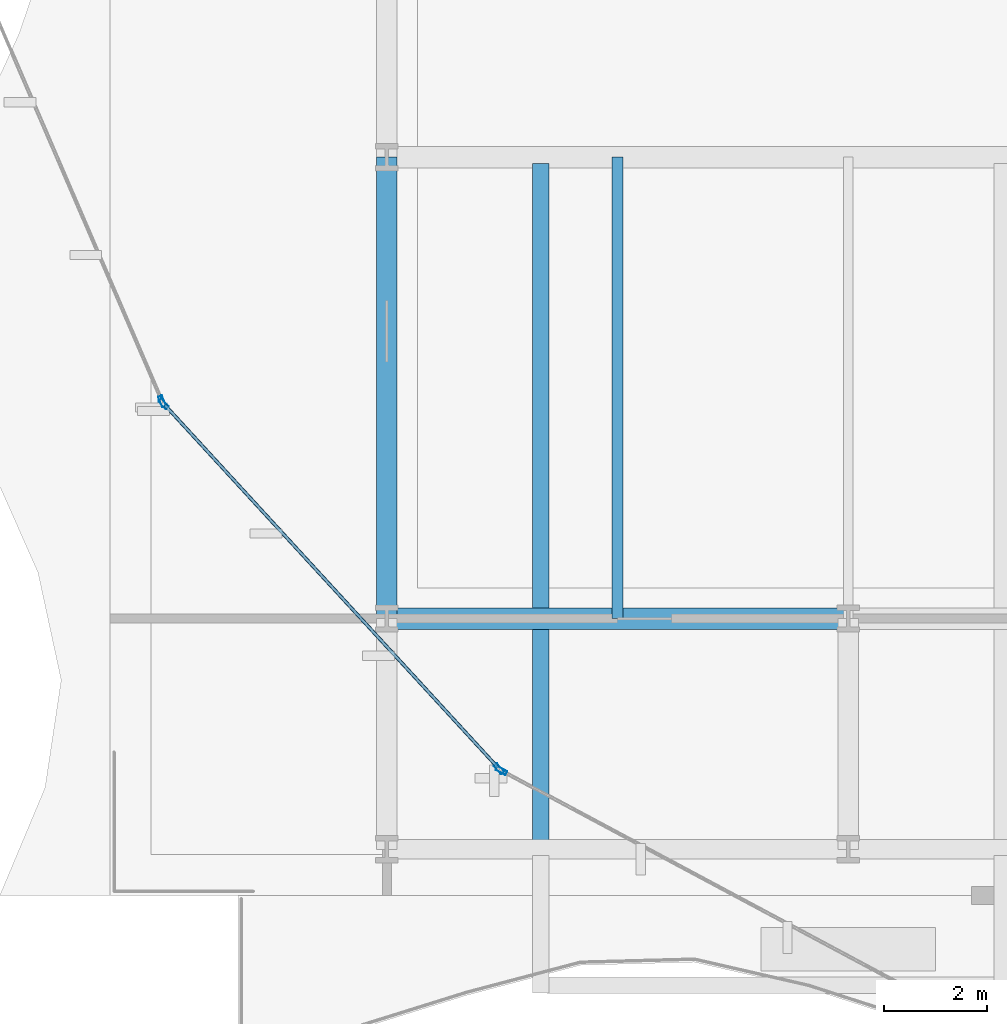
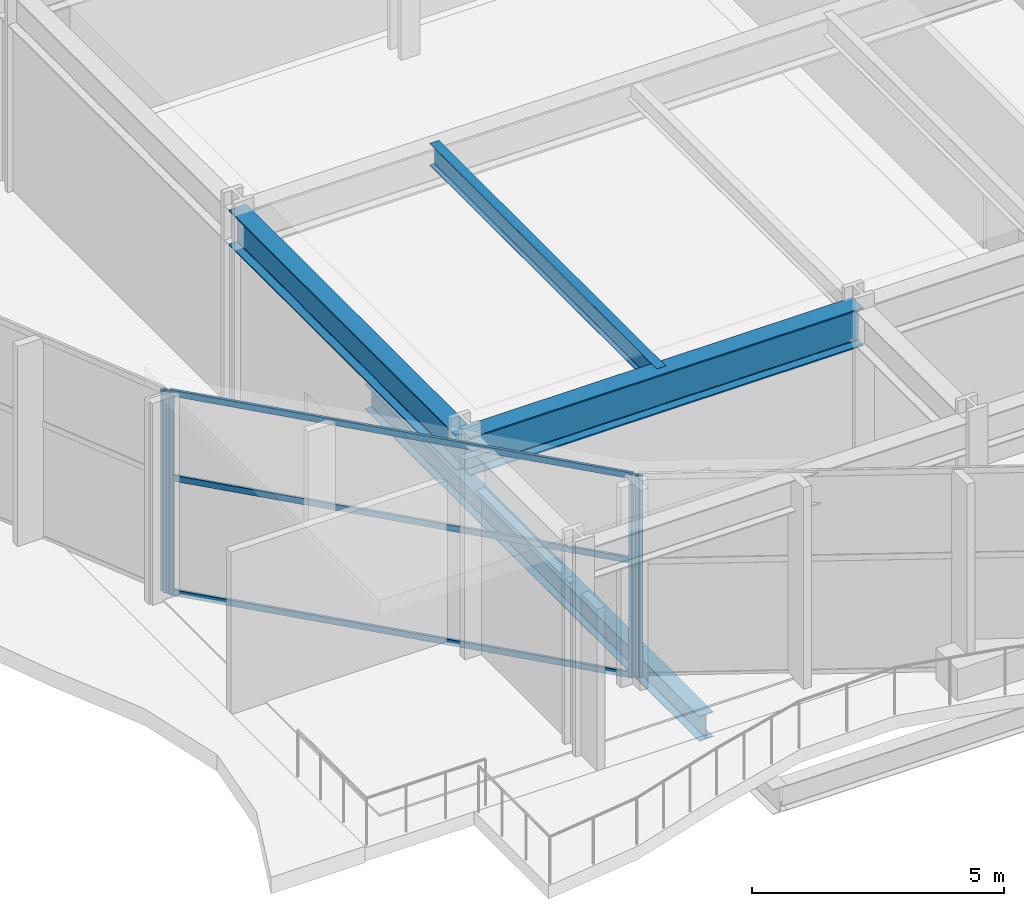
# One storey, part 2 of 31: 7 members, 4 beams, 3 elements without a shape of their own.
"""IFC4 building model written with IfcOpenShell, lengths in metres."""

from ifc_helpers import new_model, si_unit, direction, frame, origin, origin_2d, place, context, subcontext, project, spatial, hollow_rectangle, i_section, extrude, material, layer, layer_set, material_profile, profile_set, type_object, element, aggregate, save


model = new_model("IFC4")

# Units and contexts
model_context = context("Model", 3, precision=1e-05, world=origin(), true_north=direction((0.0, 1.0)))
body_context = subcontext(model_context, "Body", "Model", "MODEL_VIEW")
ifc_project = project(units=[si_unit("LENGTHUNIT", "METRE"), si_unit("AREAUNIT", "SQUARE_METRE"), si_unit("VOLUMEUNIT", "CUBIC_METRE"), si_unit("PLANEANGLEUNIT", "RADIAN"), si_unit("MASSUNIT", "GRAM", prefix="KILO")], contexts=[model_context])

# Site, building, storey
site_placement = place(None, origin())
site = spatial("IfcSite", under=ifc_project, at=site_placement, CompositionType="ELEMENT")
building_placement = place(site_placement, origin())
building = spatial("IfcBuilding", under=site, at=building_placement, Name="Solvaryn Broadcast Tower", CompositionType="ELEMENT")
storey_placement = place(building_placement, frame((0.0, 0.0, 11.0)))
storey = spatial("IfcBuildingStorey", under=building, at=storey_placement, Name="L02", CompositionType="ELEMENT", Elevation=11.0)

# Beams
ifc_material_1 = material(Name="Steel ASTM A992 Grade 50", Category="steel")
ifc_material_profile_1 = material_profile(ifc_material_1, i_section(OverallWidth=0.323974609375, OverallDepth=0.611083984375, WebThickness=0.0126953125, FlangeThickness=0.01904296875, FilletRadius=0.014892578125, at=origin_2d()))
ifc_profile_set_1 = profile_set([ifc_material_profile_1], Name="Steel ASTM A992 Grade 50")
beam_type_1 = type_object("IfcBeamType", Name="BM-B1-W24X104", PredefinedType="BEAM", material=ifc_profile_set_1)
beam_1_placement = place(storey_placement, frame((12.0, 17.875, -0.62548828125), z_axis=(0.0, -1.0, 0.0), x_axis=(1.0, 0.0, 0.0)))
element("IfcBeam", 1, at=beam_1_placement, inside=storey, type_object=beam_type_1, Name="L02 Terrace Back-Span Beam X12.0", PredefinedType="BEAM", context=body_context, shape_type="SweptSolid", body=[
    extrude(i_section(OverallWidth=0.323974609375, OverallDepth=0.611083984375, WebThickness=0.0126953125, FlangeThickness=0.01904296875, FilletRadius=0.014892578125, at=origin_2d()), origin(), (0.0, 0.0, 1.0), 13.25),
])
ifc_material_2 = material(Name="Steel ASTM A992 Grade 50", Category="steel")
ifc_material_profile_2 = material_profile(ifc_material_2, i_section(OverallWidth=0.208984375, OverallDepth=0.532958984375, WebThickness=0.01025390625, FlangeThickness=0.015625, FilletRadius=0.013916015625, at=origin_2d()))
ifc_profile_set_2 = profile_set([ifc_material_profile_2], Name="Steel ASTM A992 Grade 50")
beam_type_2 = type_object("IfcBeamType", Name="BM-B3-W21X62", PredefinedType="BEAM", material=ifc_profile_set_2)
beam_2_placement = place(storey_placement, frame((13.5, 9.0, 4.613525390625), z_axis=(0.0, 1.0, 0.0), x_axis=(-1.0, 0.0, 0.0)))
element("IfcBeam", 2, at=beam_2_placement, inside=storey, type_object=beam_type_2, Name="L02 Studio Rigging Beam 1", PredefinedType="BEAM", context=body_context, shape_type="SweptSolid", body=[
    extrude(i_section(OverallWidth=0.208984375, OverallDepth=0.532958984375, WebThickness=0.01025390625, FlangeThickness=0.015625, FilletRadius=0.013916015625, at=origin_2d()), origin(), (0.0, 0.0, 1.0), 9.0),
])
ifc_material_3 = material(Name="Steel ASTM A992 Grade 50", Category="steel")
ifc_material_profile_3 = material_profile(ifc_material_3, i_section(OverallWidth=0.41796875, OverallDepth=0.927001953125, WebThickness=0.019287109375, FlangeThickness=0.031982421875, FilletRadius=0.02392578125, at=origin_2d()))
ifc_profile_set_3 = profile_set([ifc_material_profile_3], Name="Steel ASTM A992 Grade 50")
beam_type_3 = type_object("IfcBeamType", Name="BM-G2-W36X231", PredefinedType="BEAM", material=ifc_profile_set_3)
beam_3_placement = place(storey_placement, frame((9.0, 9.0, 4.41650390625), z_axis=(1.0, 0.0, 0.0), x_axis=(0.0, 1.0, 0.0)))
element("IfcBeam", 3, at=beam_3_placement, inside=storey, type_object=beam_type_3, Name="L02 Primary Beam X (9-18 @ Y=9)", PredefinedType="BEAM", context=body_context, shape_type="SweptSolid", body=[
    extrude(i_section(OverallWidth=0.41796875, OverallDepth=0.927001953125, WebThickness=0.019287109375, FlangeThickness=0.031982421875, FilletRadius=0.02392578125, at=origin_2d()), origin(), (0.0, 0.0, 1.0), 9.0),
])
ifc_material_4 = material(Name="Steel ASTM A992 Grade 50", Category="steel")
ifc_material_profile_4 = material_profile(ifc_material_4, i_section(OverallWidth=0.39990234375, OverallDepth=0.85498046875, WebThickness=0.018310546875, FlangeThickness=0.029296875, FilletRadius=0.02001953125, at=origin_2d()))
ifc_profile_set_4 = profile_set([ifc_material_profile_4], Name="Steel ASTM A992 Grade 50")
beam_type_4 = type_object("IfcBeamType", Name="BM-G3-W33X201", PredefinedType="BEAM", material=ifc_profile_set_4)
beam_4_placement = place(storey_placement, frame((9.0, 9.0, 4.452392578125), z_axis=(0.0, 1.0, 0.0), x_axis=(-1.0, 0.0, 0.0)))
element("IfcBeam", 4, at=beam_4_placement, inside=storey, type_object=beam_type_4, Name="L02 Primary Beam Y (9-18 @ X=9)", PredefinedType="BEAM", context=body_context, shape_type="SweptSolid", body=[
    extrude(i_section(OverallWidth=0.39990234375, OverallDepth=0.85498046875, WebThickness=0.018310546875, FlangeThickness=0.029296875, FilletRadius=0.02001953125, at=origin_2d()), origin(), (0.0, 0.0, 1.0), 9.0),
])

# Curtain wall, member
ifc_material_5 = material(Name="Aluminium and Terracotta Unitised Curtain Wall", Category="masonry")
ifc_layer = layer(ifc_material_5, 0.219970703125)
ifc_layer_set = layer_set([ifc_layer], Name="CW-SYS1-PODIUM")
curtain_wall_type = type_object("IfcCurtainWallType", Name="CW-SYS1-PODIUM", PredefinedType="NOTDEFINED", material=ifc_layer_set)
curtain_wall_1_placement = place(storey_placement, origin())
curtain_wall_1 = element("IfcCurtainWall", 5, at=curtain_wall_1_placement, inside=storey, type_object=curtain_wall_type, Name="L02 Podium Curtain Wall DC2", PredefinedType="NOTDEFINED")
ifc_material_6 = material(Name="Anodised Aluminium 6063-T6", Category="aluminium")
ifc_material_profile_5 = material_profile(ifc_material_6, hollow_rectangle(XDim=0.0849609375, YDim=0.219970703125, WallThickness=0.0048828125, InnerFilletRadius=0.0048828125, OuterFilletRadius=0.010009765625, at=origin_2d()))
ifc_profile_set_5 = profile_set([ifc_material_profile_5], Name="Anodised Aluminium 6063-T6")
member_type_1 = type_object("IfcMemberType", Name="CW-MUL-220", PredefinedType="MULLION", material=ifc_profile_set_5)
member_1_placement = place(storey_placement, frame((4.6162109375, 13.237548828125, 0.0), z_axis=(0.0, 0.0, 1.0), x_axis=(0.918452267786, 0.395531834117, 0.0)))
member_1 = element("IfcMember", 6, at=member_1_placement, type_object=member_type_1, Name="CWS1 mullion 2", PredefinedType="MULLION", context=body_context, shape_type="SweptSolid", body=[
    extrude(hollow_rectangle(XDim=0.0849609375, YDim=0.219970703125, WallThickness=0.0048828125, InnerFilletRadius=0.0048828125, OuterFilletRadius=0.010009765625, at=origin_2d()), origin(), (0.0, 0.0, 1.0), 4.8798828125),
])
aggregate(curtain_wall_1, [member_1])

# Curtain wall, members
curtain_wall_2_placement = place(storey_placement, origin())
curtain_wall_2 = element("IfcCurtainWall", 7, at=curtain_wall_2_placement, inside=storey, type_object=curtain_wall_type, Name="L02 Podium Curtain Wall DC3", PredefinedType="NOTDEFINED")
member_2_placement = place(storey_placement, frame((4.648193359375, 13.18798828125, 0.0), z_axis=(0.0, 0.0, 1.0), x_axis=(0.736393973283, 0.676552966228, 0.0)))
member_2 = element("IfcMember", 8, at=member_2_placement, type_object=member_type_1, Name="CWS1 mullion 1", PredefinedType="MULLION", context=body_context, shape_type="SweptSolid", body=[
    extrude(hollow_rectangle(XDim=0.0849609375, YDim=0.219970703125, WallThickness=0.0048828125, InnerFilletRadius=0.0048828125, OuterFilletRadius=0.010009765625, at=origin_2d()), origin(), (0.0, 0.0, 1.0), 4.8798828125),
])
member_3_placement = place(storey_placement, frame((11.187744140625, 6.070068359375, 0.0), z_axis=(0.0, 0.0, 1.0), x_axis=(0.736393973283, 0.676552966228, 0.0)))
member_3 = element("IfcMember", 9, at=member_3_placement, type_object=member_type_1, Name="CWS1 mullion 2", PredefinedType="MULLION", context=body_context, shape_type="SweptSolid", body=[
    extrude(hollow_rectangle(XDim=0.0849609375, YDim=0.219970703125, WallThickness=0.0048828125, InnerFilletRadius=0.0048828125, OuterFilletRadius=0.010009765625, at=origin_2d()), origin(), (0.0, 0.0, 1.0), 4.8798828125),
])

# Curtain wall, member
curtain_wall_3_placement = place(storey_placement, origin())
curtain_wall_3 = element("IfcCurtainWall", 10, at=curtain_wall_3_placement, inside=storey, type_object=curtain_wall_type, Name="L02 Podium Curtain Wall DC4", PredefinedType="NOTDEFINED")
member_4_placement = place(storey_placement, frame((11.234375, 6.033935546875, 0.0), z_axis=(0.0, 0.0, 1.0), x_axis=(0.471639235536, 0.881791603216, 0.0)))
member_4 = element("IfcMember", 11, at=member_4_placement, type_object=member_type_1, Name="CWS1 mullion 1", PredefinedType="MULLION", context=body_context, shape_type="SweptSolid", body=[
    extrude(hollow_rectangle(XDim=0.0849609375, YDim=0.219970703125, WallThickness=0.0048828125, InnerFilletRadius=0.0048828125, OuterFilletRadius=0.010009765625, at=origin_2d()), origin(), (0.0, 0.0, 1.0), 4.8798828125),
])
aggregate(curtain_wall_3, [member_4])

# Member
ifc_material_7 = material(Name="Anodised Aluminium 6063-T6", Category="aluminium")
ifc_material_profile_6 = material_profile(ifc_material_7, hollow_rectangle(XDim=0.06494140625, YDim=0.14990234375, WallThickness=0.00390625, InnerFilletRadius=0.00390625, OuterFilletRadius=0.008056640625, at=origin_2d()))
ifc_profile_set_6 = profile_set([ifc_material_profile_6], Name="Anodised Aluminium 6063-T6")
member_type_2 = type_object("IfcMemberType", Name="CW-TRN-150", PredefinedType="USERDEFINED", material=ifc_profile_set_6)
member_5_placement = place(storey_placement, frame((4.668701171875, 13.165771484375, 0.030029296875), z_axis=(0.67655862016, -0.736388778763, 0.0), x_axis=(0.736388778763, 0.67655862016, 0.0)))
member_5 = element("IfcMember", 12, at=member_5_placement, type_object=member_type_2, Name="CWS1 transom 1.1", ObjectType="TRANSOM", PredefinedType="USERDEFINED", context=body_context, shape_type="SweptSolid", body=[
    extrude(hollow_rectangle(XDim=0.06494140625, YDim=0.14990234375, WallThickness=0.00390625, InnerFilletRadius=0.00390625, OuterFilletRadius=0.008056640625, at=origin_2d()), origin(), (0.0, 0.0, 1.0), 9.605712890625),
])

member_6_placement = place(storey_placement, frame((4.668701171875, 13.165771484375, 2.800048828125), z_axis=(0.67655862016, -0.736388778763, 0.0), x_axis=(0.736388778763, 0.67655862016, 0.0)))
member_6 = element("IfcMember", 13, at=member_6_placement, type_object=member_type_2, Name="CWS1 transom 1.2", ObjectType="TRANSOM", PredefinedType="USERDEFINED", context=body_context, shape_type="SweptSolid", body=[
    extrude(hollow_rectangle(XDim=0.06494140625, YDim=0.14990234375, WallThickness=0.00390625, InnerFilletRadius=0.00390625, OuterFilletRadius=0.008056640625, at=origin_2d()), origin(), (0.0, 0.0, 1.0), 9.605712890625),
])

member_7_placement = place(storey_placement, frame((4.668701171875, 13.165771484375, 4.85009765625), z_axis=(0.67655862016, -0.736388778763, 0.0), x_axis=(0.736388778763, 0.67655862016, 0.0)))
member_7 = element("IfcMember", 14, at=member_7_placement, type_object=member_type_2, Name="CWS1 transom 1.3", ObjectType="TRANSOM", PredefinedType="USERDEFINED", context=body_context, shape_type="SweptSolid", body=[
    extrude(hollow_rectangle(XDim=0.06494140625, YDim=0.14990234375, WallThickness=0.00390625, InnerFilletRadius=0.00390625, OuterFilletRadius=0.008056640625, at=origin_2d()), origin(), (0.0, 0.0, 1.0), 9.605712890625),
])

aggregate(curtain_wall_2, [member_2, member_3, member_5, member_6, member_7])

save(model, "model.ifc")
